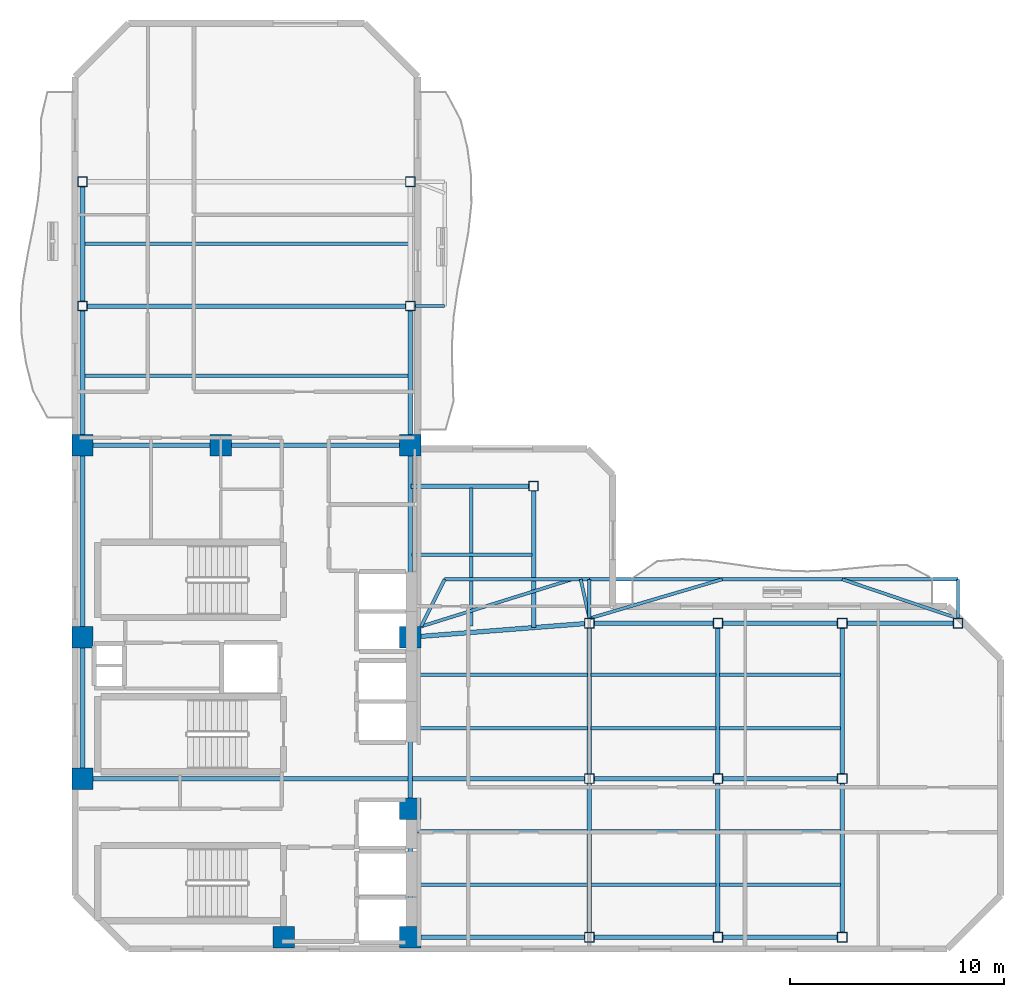
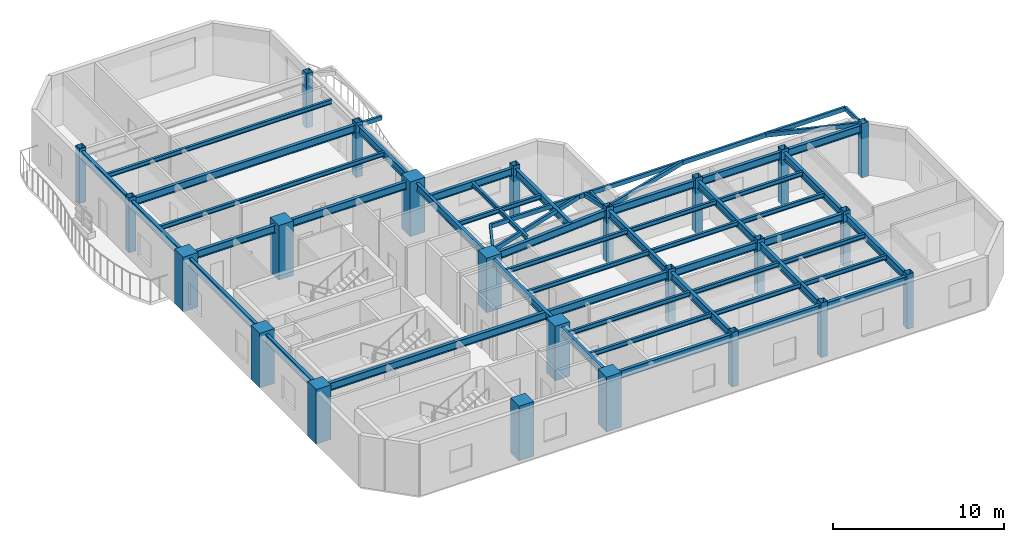
# One storey, part 1 of 9: 55 beams, 24 columns.
"""IFC4 building model written with IfcOpenShell, lengths in metres."""

from ifc_helpers import new_model, si_unit, direction, frame, origin, origin_2d, place, context, subcontext, project, spatial, rectangle, hollow_rectangle, i_section, extrude, material, material_profile, profile_set, type_object, element, save


model = new_model("IFC4")

# Units and contexts
model_context = context("Model", 3, precision=1e-05, world=origin(), true_north=direction((0.0, 1.0)))
body_context = subcontext(model_context, "Body", "Model", "MODEL_VIEW")
ifc_project = project(units=[si_unit("LENGTHUNIT", "METRE"), si_unit("AREAUNIT", "SQUARE_METRE"), si_unit("VOLUMEUNIT", "CUBIC_METRE"), si_unit("PLANEANGLEUNIT", "RADIAN"), si_unit("MASSUNIT", "GRAM", prefix="KILO")], contexts=[model_context])

# Site, building, storey
site_placement = place(None, origin())
site = spatial("IfcSite", under=ifc_project, at=site_placement, CompositionType="ELEMENT")
building_placement = place(site_placement, origin())
building = spatial("IfcBuilding", under=site, at=building_placement, Name="Mawjaban Terraces University", CompositionType="ELEMENT")
storey_placement = place(building_placement, frame((0.0, 0.0, 203.10009765625)))
storey = spatial("IfcBuildingStorey", under=building, at=storey_placement, Name="L49", CompositionType="ELEMENT", Elevation=203.10009765625)

# Columns
ifc_material_1 = material(Name="Concrete C60/75", Category="concrete")
ifc_material_profile_1 = material_profile(ifc_material_1, rectangle(XDim=1.0, YDim=1.0, at=origin_2d()), Name="RC1000X1000")
ifc_profile_set_1 = profile_set([ifc_material_profile_1], Name="Concrete C60/75")
column_type_1 = type_object("IfcColumnType", Name="Col_RC1000X1000", PredefinedType="COLUMN", material=ifc_profile_set_1)
for number, where, z_axis, x_axis, name in (
    (1, (31.75, 0.550048828125, 0.0), (0.0, 0.0, 1.0), (1.0, 0.0, 0.0), "L49 Column CC2"),
    (2, (37.64990234375, 0.550048828125, 0.0), (0.0, 0.0, 1.0), (1.0, 0.0, 0.0), "L49 Column CC3"),
    (3, (22.35009765625, 7.949951171875, 0.0), (0.0, 0.0, 1.0), (1.0, 0.0, 0.0), "L49 Column CC4"),
    (4, (37.64990234375, 6.550048828125, 0.0), (0.0, 0.0, 1.0), (1.0, 0.0, 0.0), "L49 Column CC5"),
    (5, (22.35009765625, 14.550048828125, 0.0), (0.0, 0.0, 1.0), (1.0, 0.0, 0.0), "L49 Column CC6"),
    (6, (37.64990234375, 14.550048828125, 0.0), (0.0, 0.0, 1.0), (1.0, 0.0, 0.0), "L49 Column CC7"),
    (7, (22.35009765625, 23.5, 0.0), (0.0, 0.0, 1.0), (1.0, 0.0, 0.0), "L49 Column CC8"),
    (8, (28.800048828125, 23.5, 0.0), (0.0, 0.0, 1.0), (1.0, 0.0, 0.0), "L49 Column CC9"),
    (9, (37.64990234375, 23.5, 0.0), (0.0, 0.0, 1.0), (1.0, 0.0, 0.0), "L49 Column CC10"),
):
    element("IfcColumn", number, at=place(storey_placement, frame(where, z_axis=z_axis, x_axis=x_axis)), inside=storey, type_object=column_type_1, Name=name, PredefinedType="COLUMN", context=body_context, shape_type="SweptSolid", body=[
        extrude(rectangle(XDim=1.0, YDim=1.0, at=origin_2d()), origin(), (0.0, 0.0, 1.0), 3.89990234375),
    ])
ifc_material_2 = material(Name="Steel EN 10210-1 S355J2H", Category="steel")
ifc_material_profile_2 = material_profile(ifc_material_2, hollow_rectangle(XDim=0.449951171875, YDim=0.449951171875, WallThickness=0.02001953125, at=origin_2d()), Name="SHS450X450X20")
ifc_profile_set_2 = profile_set([ifc_material_profile_2], Name="Steel EN 10210-1 S355J2H")
column_type_2 = type_object("IfcColumnType", Name="Col_SHS450X450X20", PredefinedType="COLUMN", material=ifc_profile_set_2)
for number, where, z_axis, x_axis, name in (
    (10, (46.0, 0.550048828125, 0.0), (0.0, 0.0, 1.0), (1.0, 0.0, 0.0), "L49 Column TE-460-005"),
    (11, (46.0, 7.949951171875, 0.0), (0.0, 0.0, 1.0), (1.0, 0.0, 0.0), "L49 Column TE-460-080"),
    (12, (46.0, 15.199951171875, 0.0), (0.0, 0.0, 1.0), (1.0, 0.0, 0.0), "L49 Column TE-460-152"),
    (13, (52.0, 0.550048828125, 0.0), (0.0, 0.0, 1.0), (1.0, 0.0, 0.0), "L49 Column TE-520-005"),
    (14, (52.0, 7.949951171875, 0.0), (0.0, 0.0, 1.0), (1.0, 0.0, 0.0), "L49 Column TE-520-080"),
    (15, (52.0, 15.199951171875, 0.0), (0.0, 0.0, 1.0), (1.0, 0.0, 0.0), "L49 Column TE-520-152"),
    (16, (57.800048828125, 0.550048828125, 0.0), (0.0, 0.0, 1.0), (1.0, 0.0, 0.0), "L49 Column TE-578-005"),
    (17, (57.800048828125, 7.949951171875, 0.0), (0.0, 0.0, 1.0), (1.0, 0.0, 0.0), "L49 Column TE-578-080"),
    (18, (57.800048828125, 15.199951171875, 0.0), (0.0, 0.0, 1.0), (1.0, 0.0, 0.0), "L49 Column TE-578-152"),
    (19, (63.199951171875, 15.199951171875, 0.0), (0.0, 0.0, 1.0), (1.0, 0.0, 0.0), "L49 Column TE-632-152"),
    (20, (22.35009765625, 30.0, 0.0), (0.0, 0.0, 1.0), (1.0, 0.0, 0.0), "L49 Column TN-223-300"),
    (21, (37.64990234375, 30.0, 0.0), (0.0, 0.0, 1.0), (1.0, 0.0, 0.0), "L49 Column TN-376-300"),
    (22, (22.35009765625, 35.800048828125, 0.0), (0.0, 0.0, 1.0), (1.0, 0.0, 0.0), "L49 Column TN-223-358"),
    (23, (37.64990234375, 35.800048828125, 0.0), (0.0, 0.0, 1.0), (1.0, 0.0, 0.0), "L49 Column TN-376-358"),
    (24, (43.39990234375, 21.60009765625, 0.0), (0.0, 0.0, 1.0), (1.0, 0.0, 0.0), "L49 Column TS-434-216"),
):
    element("IfcColumn", number, at=place(storey_placement, frame(where, z_axis=z_axis, x_axis=x_axis)), inside=storey, type_object=column_type_2, Name=name, PredefinedType="COLUMN", context=body_context, shape_type="SweptSolid", body=[
        extrude(hollow_rectangle(XDim=0.449951171875, YDim=0.449951171875, WallThickness=0.02001953125, at=origin_2d()), origin(), (0.0, 0.0, 1.0), 3.89990234375),
    ])

# Beams
ifc_material_profile_3 = material_profile(ifc_material_2, hollow_rectangle(XDim=0.14990234375, YDim=0.300048828125, WallThickness=0.012451171875, at=origin_2d()), Name="RHS300X150X12.5")
ifc_profile_set_3 = profile_set([ifc_material_profile_3], Name="Steel EN 10210-1 S355J2H")
beam_type_1 = type_object("IfcBeamType", Name="BalconyCantileverSpandrel_RHS", PredefinedType="SPANDREL", material=ifc_profile_set_3)
for number, where, z_axis, x_axis, name in (
    (25, (46.0, 15.425048828125, 3.539794921875), (0.0, 1.0, 0.0), (-1.0, 0.0, 0.0), "L49 Exterior Outrigger BAL-L50-N.1"),
    (26, (63.199951171875, 15.425048828125, 3.539794921875), (0.0, 1.0, 0.0), (-1.0, 0.0, 0.0), "L49 Exterior Outrigger BAL-L50-N.2"),
):
    element("IfcBeam", number, at=place(storey_placement, frame(where, z_axis=z_axis, x_axis=x_axis)), inside=storey, type_object=beam_type_1, Name=name, PredefinedType="SPANDREL", context=body_context, shape_type="SweptSolid", body=[
        extrude(hollow_rectangle(XDim=0.14990234375, YDim=0.300048828125, WallThickness=0.012451171875, at=origin_2d()), origin(), (0.0, 0.0, 1.0), 1.824951171875),
    ])
beam_1_placement = place(storey_placement, frame((46.0, 17.25, 3.539794921875), z_axis=(1.0, 0.0, 0.0), x_axis=(0.0, 1.0, 0.0)))
element("IfcBeam", 27, at=beam_1_placement, inside=storey, type_object=beam_type_1, Name="L49 Exterior Edge Spandrel BAL-L50-N", PredefinedType="SPANDREL", context=body_context, shape_type="SweptSolid", body=[
    extrude(hollow_rectangle(XDim=0.14990234375, YDim=0.300048828125, WallThickness=0.012451171875, at=origin_2d()), origin(), (0.0, 0.0, 1.0), 17.199951171875),
])
beam_2_placement = place(storey_placement, frame((46.0, 15.425048828125, 3.539794921875), z_axis=(0.959305327921, 0.282370833873, 0.0), x_axis=(-0.282370833873, 0.959305327921, 0.0)))
element("IfcBeam", 28, at=beam_2_placement, inside=storey, type_object=beam_type_1, Name="L49 Exterior Diagonal Strut BAL-L50-N.1", PredefinedType="SPANDREL", context=body_context, shape_type="SweptSolid", body=[
    extrude(hollow_rectangle(XDim=0.14990234375, YDim=0.300048828125, WallThickness=0.012451171875, at=origin_2d()), origin(), (0.0, 0.0, 1.0), 6.462890625),
])
beam_3_placement = place(storey_placement, frame((63.199951171875, 15.425048828125, 3.539794921875), z_axis=(-0.947360151124, 0.320169867513, 0.0), x_axis=(-0.320169867513, -0.947360151124, 0.0)))
element("IfcBeam", 29, at=beam_3_placement, inside=storey, type_object=beam_type_1, Name="L49 Exterior Diagonal Strut BAL-L50-N.2", PredefinedType="SPANDREL", context=body_context, shape_type="SweptSolid", body=[
    extrude(hollow_rectangle(XDim=0.14990234375, YDim=0.300048828125, WallThickness=0.012451171875, at=origin_2d()), origin(), (0.0, 0.0, 1.0), 5.699951171875),
])
beam_4_placement = place(storey_placement, frame((37.875, 30.0, 3.539794921875), z_axis=(1.0, 0.0, 0.0), x_axis=(0.0, 1.0, 0.0)))
element("IfcBeam", 30, at=beam_4_placement, inside=storey, type_object=beam_type_1, Name="L49 Exterior Outrigger BAL-L50-E.1", PredefinedType="SPANDREL", context=body_context, shape_type="SweptSolid", body=[
    extrude(hollow_rectangle(XDim=0.14990234375, YDim=0.300048828125, WallThickness=0.012451171875, at=origin_2d()), origin(), (0.0, 0.0, 1.0), 1.375),
])
beam_5_placement = place(storey_placement, frame((38.14990234375, 15.050048828125, 3.539794921875), z_axis=(0.447253297971, 0.894407338663, 0.0), x_axis=(-0.894407338663, 0.447253297971, 0.0)))
element("IfcBeam", 31, at=beam_5_placement, inside=storey, type_object=beam_type_1, Name="L49 Corner Outrigger TER-L50-CLIMB", PredefinedType="SPANDREL", context=body_context, shape_type="SweptSolid", body=[
    extrude(hollow_rectangle(XDim=0.14990234375, YDim=0.300048828125, WallThickness=0.012451171875, at=origin_2d()), origin(), (0.0, 0.0, 1.0), 2.459716796875),
])
beam_6_placement = place(storey_placement, frame((39.25, 17.25, 3.539794921875), z_axis=(1.0, 0.0, 0.0), x_axis=(0.0, 1.0, 0.0)))
element("IfcBeam", 32, at=beam_6_placement, inside=storey, type_object=beam_type_1, Name="L49 Exterior Edge Spandrel TER-L50-CLIMB", PredefinedType="SPANDREL", context=body_context, shape_type="SweptSolid", body=[
    extrude(hollow_rectangle(XDim=0.14990234375, YDim=0.300048828125, WallThickness=0.012451171875, at=origin_2d()), origin(), (0.0, 0.0, 1.0), 6.75),
])
beam_7_placement = place(storey_placement, frame((38.14990234375, 15.050048828125, 3.539794921875), z_axis=(0.9546028334, 0.297881571208, 0.0), x_axis=(-0.297881571208, 0.9546028334, 0.0)))
element("IfcBeam", 33, at=beam_7_placement, inside=storey, type_object=beam_type_1, Name="L49 Exterior Diagonal Strut TER-L50-CLIMB.1", PredefinedType="SPANDREL", context=body_context, shape_type="SweptSolid", body=[
    extrude(hollow_rectangle(XDim=0.14990234375, YDim=0.300048828125, WallThickness=0.012451171875, at=origin_2d()), origin(), (0.0, 0.0, 1.0), 7.38525390625),
])
beam_8_placement = place(storey_placement, frame((46.0, 15.425048828125, 3.539794921875), z_axis=(-0.214051511527, 0.976822374034, 0.0), x_axis=(-0.976822374034, -0.214051511527, 0.0)))
element("IfcBeam", 34, at=beam_8_placement, inside=storey, type_object=beam_type_1, Name="L49 Exterior Diagonal Strut TER-L50-CLIMB.2", PredefinedType="SPANDREL", context=body_context, shape_type="SweptSolid", body=[
    extrude(hollow_rectangle(XDim=0.14990234375, YDim=0.300048828125, WallThickness=0.012451171875, at=origin_2d()), origin(), (0.0, 0.0, 1.0), 1.8681640625),
])
ifc_material_3 = material(Name="Steel ASTM A572 Grade 50", Category="steel")
ifc_material_profile_4 = material_profile(ifc_material_3, i_section(OverallWidth=0.2119140625, OverallDepth=0.5439453125, WebThickness=0.01318359375, FlangeThickness=0.021240234375, at=origin_2d()), Name="W530X123")
ifc_profile_set_4 = profile_set([ifc_material_profile_4], Name="Steel ASTM A572 Grade 50")
beam_type_2 = type_object("IfcBeamType", Name="Beam_B_W530X123", PredefinedType="BEAM", material=ifc_profile_set_4)
beam_9_placement = place(storey_placement, frame((38.14990234375, 0.550048828125, 3.41796875), z_axis=(1.0, 0.0, 0.0), x_axis=(0.0, 1.0, 0.0)))
element("IfcBeam", 35, at=beam_9_placement, inside=storey, type_object=beam_type_2, Name="L49 Beam BM-L49-EW-01", PredefinedType="BEAM", context=body_context, shape_type="SweptSolid", body=[
    extrude(i_section(OverallWidth=0.2119140625, OverallDepth=0.5439453125, WebThickness=0.01318359375, FlangeThickness=0.021240234375, at=origin_2d()), origin(), (0.0, 0.0, 1.0), 7.625),
])
beam_10_placement = place(storey_placement, frame((46.22509765625, 0.550048828125, 3.41796875), z_axis=(1.0, 0.0, 0.0), x_axis=(0.0, 1.0, 0.0)))
element("IfcBeam", 36, at=beam_10_placement, inside=storey, type_object=beam_type_2, Name="L49 Beam BM-L49-EW-02", PredefinedType="BEAM", context=body_context, shape_type="SweptSolid", body=[
    extrude(i_section(OverallWidth=0.2119140625, OverallDepth=0.5439453125, WebThickness=0.01318359375, FlangeThickness=0.021240234375, at=origin_2d()), origin(), (0.0, 0.0, 1.0), 5.5498046875),
])
beam_11_placement = place(storey_placement, frame((52.22509765625, 0.550048828125, 3.41796875), z_axis=(1.0, 0.0, 0.0), x_axis=(0.0, 1.0, 0.0)))
element("IfcBeam", 37, at=beam_11_placement, inside=storey, type_object=beam_type_2, Name="L49 Beam BM-L49-EW-03", PredefinedType="BEAM", context=body_context, shape_type="SweptSolid", body=[
    extrude(i_section(OverallWidth=0.2119140625, OverallDepth=0.5439453125, WebThickness=0.01318359375, FlangeThickness=0.021240234375, at=origin_2d()), origin(), (0.0, 0.0, 1.0), 5.349853515625),
])
beam_12_placement = place(storey_placement, frame((22.85009765625, 7.949951171875, 3.41796875), z_axis=(1.0, 0.0, 0.0), x_axis=(0.0, 1.0, 0.0)))
element("IfcBeam", 38, at=beam_12_placement, inside=storey, type_object=beam_type_2, Name="L49 Beam BM-L49-EW-04", PredefinedType="BEAM", context=body_context, shape_type="SweptSolid", body=[
    extrude(i_section(OverallWidth=0.2119140625, OverallDepth=0.5439453125, WebThickness=0.01318359375, FlangeThickness=0.021240234375, at=origin_2d()), origin(), (0.0, 0.0, 1.0), 22.9248046875),
])
beam_13_placement = place(storey_placement, frame((46.22509765625, 7.949951171875, 3.41796875), z_axis=(1.0, 0.0, 0.0), x_axis=(0.0, 1.0, 0.0)))
element("IfcBeam", 39, at=beam_13_placement, inside=storey, type_object=beam_type_2, Name="L49 Beam BM-L49-EW-05", PredefinedType="BEAM", context=body_context, shape_type="SweptSolid", body=[
    extrude(i_section(OverallWidth=0.2119140625, OverallDepth=0.5439453125, WebThickness=0.01318359375, FlangeThickness=0.021240234375, at=origin_2d()), origin(), (0.0, 0.0, 1.0), 5.5498046875),
])
beam_14_placement = place(storey_placement, frame((52.22509765625, 7.949951171875, 3.41796875), z_axis=(1.0, 0.0, 0.0), x_axis=(0.0, 1.0, 0.0)))
element("IfcBeam", 40, at=beam_14_placement, inside=storey, type_object=beam_type_2, Name="L49 Beam BM-L49-EW-06", PredefinedType="BEAM", context=body_context, shape_type="SweptSolid", body=[
    extrude(i_section(OverallWidth=0.2119140625, OverallDepth=0.5439453125, WebThickness=0.01318359375, FlangeThickness=0.021240234375, at=origin_2d()), origin(), (0.0, 0.0, 1.0), 5.349853515625),
])
beam_15_placement = place(storey_placement, frame((46.22509765625, 15.199951171875, 3.41796875), z_axis=(1.0, 0.0, 0.0), x_axis=(0.0, 1.0, 0.0)))
element("IfcBeam", 41, at=beam_15_placement, inside=storey, type_object=beam_type_2, Name="L49 Beam BM-L49-EW-07", PredefinedType="BEAM", context=body_context, shape_type="SweptSolid", body=[
    extrude(i_section(OverallWidth=0.2119140625, OverallDepth=0.5439453125, WebThickness=0.01318359375, FlangeThickness=0.021240234375, at=origin_2d()), origin(), (0.0, 0.0, 1.0), 5.5498046875),
])
beam_16_placement = place(storey_placement, frame((52.22509765625, 15.199951171875, 3.41796875), z_axis=(1.0, 0.0, 0.0), x_axis=(0.0, 1.0, 0.0)))
element("IfcBeam", 42, at=beam_16_placement, inside=storey, type_object=beam_type_2, Name="L49 Beam BM-L49-EW-08", PredefinedType="BEAM", context=body_context, shape_type="SweptSolid", body=[
    extrude(i_section(OverallWidth=0.2119140625, OverallDepth=0.5439453125, WebThickness=0.01318359375, FlangeThickness=0.021240234375, at=origin_2d()), origin(), (0.0, 0.0, 1.0), 5.349853515625),
])
beam_17_placement = place(storey_placement, frame((58.02490234375, 15.199951171875, 3.41796875), z_axis=(1.0, 0.0, 0.0), x_axis=(0.0, 1.0, 0.0)))
element("IfcBeam", 43, at=beam_17_placement, inside=storey, type_object=beam_type_2, Name="L49 Beam BM-L49-EW-09", PredefinedType="BEAM", context=body_context, shape_type="SweptSolid", body=[
    extrude(i_section(OverallWidth=0.2119140625, OverallDepth=0.5439453125, WebThickness=0.01318359375, FlangeThickness=0.021240234375, at=origin_2d()), origin(), (0.0, 0.0, 1.0), 4.9501953125),
])
beam_18_placement = place(storey_placement, frame((22.85009765625, 23.5, 3.41796875), z_axis=(1.0, 0.0, 0.0), x_axis=(0.0, 1.0, 0.0)))
element("IfcBeam", 44, at=beam_18_placement, inside=storey, type_object=beam_type_2, Name="L49 Beam BM-L49-EW-10", PredefinedType="BEAM", context=body_context, shape_type="SweptSolid", body=[
    extrude(i_section(OverallWidth=0.2119140625, OverallDepth=0.5439453125, WebThickness=0.01318359375, FlangeThickness=0.021240234375, at=origin_2d()), origin(), (0.0, 0.0, 1.0), 5.449951171875),
])
beam_19_placement = place(storey_placement, frame((29.300048828125, 23.5, 3.41796875), z_axis=(1.0, 0.0, 0.0), x_axis=(0.0, 1.0, 0.0)))
element("IfcBeam", 45, at=beam_19_placement, inside=storey, type_object=beam_type_2, Name="L49 Beam BM-L49-EW-11", PredefinedType="BEAM", context=body_context, shape_type="SweptSolid", body=[
    extrude(i_section(OverallWidth=0.2119140625, OverallDepth=0.5439453125, WebThickness=0.01318359375, FlangeThickness=0.021240234375, at=origin_2d()), origin(), (0.0, 0.0, 1.0), 7.849853515625),
])
beam_20_placement = place(storey_placement, frame((22.574951171875, 30.0, 3.41796875), z_axis=(1.0, 0.0, 0.0), x_axis=(0.0, 1.0, 0.0)))
element("IfcBeam", 46, at=beam_20_placement, inside=storey, type_object=beam_type_2, Name="L49 Beam BM-L49-EW-12", PredefinedType="BEAM", context=body_context, shape_type="SweptSolid", body=[
    extrude(i_section(OverallWidth=0.2119140625, OverallDepth=0.5439453125, WebThickness=0.01318359375, FlangeThickness=0.021240234375, at=origin_2d()), origin(), (0.0, 0.0, 1.0), 14.85009765625),
])
beam_21_placement = place(storey_placement, frame((22.35009765625, 8.449951171875, 3.41796875), z_axis=(0.0, 1.0, 0.0), x_axis=(-1.0, 0.0, 0.0)))
element("IfcBeam", 47, at=beam_21_placement, inside=storey, type_object=beam_type_2, Name="L49 Beam BM-L49-NS-01", PredefinedType="BEAM", context=body_context, shape_type="SweptSolid", body=[
    extrude(i_section(OverallWidth=0.2119140625, OverallDepth=0.5439453125, WebThickness=0.01318359375, FlangeThickness=0.021240234375, at=origin_2d()), origin(), (0.0, 0.0, 1.0), 5.60009765625),
])
beam_22_placement = place(storey_placement, frame((22.35009765625, 15.050048828125, 3.41796875), z_axis=(0.0, 1.0, 0.0), x_axis=(-1.0, 0.0, 0.0)))
element("IfcBeam", 48, at=beam_22_placement, inside=storey, type_object=beam_type_2, Name="L49 Beam BM-L49-NS-02", PredefinedType="BEAM", context=body_context, shape_type="SweptSolid", body=[
    extrude(i_section(OverallWidth=0.2119140625, OverallDepth=0.5439453125, WebThickness=0.01318359375, FlangeThickness=0.021240234375, at=origin_2d()), origin(), (0.0, 0.0, 1.0), 7.949951171875),
])
beam_23_placement = place(storey_placement, frame((22.35009765625, 24.0, 3.41796875), z_axis=(0.0, 1.0, 0.0), x_axis=(-1.0, 0.0, 0.0)))
element("IfcBeam", 49, at=beam_23_placement, inside=storey, type_object=beam_type_2, Name="L49 Beam BM-L49-NS-03", PredefinedType="BEAM", context=body_context, shape_type="SweptSolid", body=[
    extrude(i_section(OverallWidth=0.2119140625, OverallDepth=0.5439453125, WebThickness=0.01318359375, FlangeThickness=0.021240234375, at=origin_2d()), origin(), (0.0, 0.0, 1.0), 5.77490234375),
])
beam_24_placement = place(storey_placement, frame((22.35009765625, 30.22509765625, 3.41796875), z_axis=(0.0, 1.0, 0.0), x_axis=(-1.0, 0.0, 0.0)))
element("IfcBeam", 50, at=beam_24_placement, inside=storey, type_object=beam_type_2, Name="L49 Beam BM-L49-NS-04", PredefinedType="BEAM", context=body_context, shape_type="SweptSolid", body=[
    extrude(i_section(OverallWidth=0.2119140625, OverallDepth=0.5439453125, WebThickness=0.01318359375, FlangeThickness=0.021240234375, at=origin_2d()), origin(), (0.0, 0.0, 1.0), 5.349853515625),
])
beam_25_placement = place(storey_placement, frame((37.64990234375, 1.050048828125, 3.41796875), z_axis=(0.0, 1.0, 0.0), x_axis=(-1.0, 0.0, 0.0)))
element("IfcBeam", 51, at=beam_25_placement, inside=storey, type_object=beam_type_2, Name="L49 Beam BM-L49-NS-05", PredefinedType="BEAM", context=body_context, shape_type="SweptSolid", body=[
    extrude(i_section(OverallWidth=0.2119140625, OverallDepth=0.5439453125, WebThickness=0.01318359375, FlangeThickness=0.021240234375, at=origin_2d()), origin(), (0.0, 0.0, 1.0), 5.0),
])
beam_26_placement = place(storey_placement, frame((37.64990234375, 7.050048828125, 3.41796875), z_axis=(0.0, 1.0, 0.0), x_axis=(-1.0, 0.0, 0.0)))
element("IfcBeam", 52, at=beam_26_placement, inside=storey, type_object=beam_type_2, Name="L49 Beam BM-L49-NS-06", PredefinedType="BEAM", context=body_context, shape_type="SweptSolid", body=[
    extrude(i_section(OverallWidth=0.2119140625, OverallDepth=0.5439453125, WebThickness=0.01318359375, FlangeThickness=0.021240234375, at=origin_2d()), origin(), (0.0, 0.0, 1.0), 7.0),
])
beam_27_placement = place(storey_placement, frame((37.64990234375, 15.050048828125, 3.41796875), z_axis=(0.0, 1.0, 0.0), x_axis=(-1.0, 0.0, 0.0)))
element("IfcBeam", 53, at=beam_27_placement, inside=storey, type_object=beam_type_2, Name="L49 Beam BM-L49-NS-07", PredefinedType="BEAM", context=body_context, shape_type="SweptSolid", body=[
    extrude(i_section(OverallWidth=0.2119140625, OverallDepth=0.5439453125, WebThickness=0.01318359375, FlangeThickness=0.021240234375, at=origin_2d()), origin(), (0.0, 0.0, 1.0), 7.949951171875),
])
beam_28_placement = place(storey_placement, frame((37.64990234375, 24.0, 3.41796875), z_axis=(0.0, 1.0, 0.0), x_axis=(-1.0, 0.0, 0.0)))
element("IfcBeam", 54, at=beam_28_placement, inside=storey, type_object=beam_type_2, Name="L49 Beam BM-L49-NS-08", PredefinedType="BEAM", context=body_context, shape_type="SweptSolid", body=[
    extrude(i_section(OverallWidth=0.2119140625, OverallDepth=0.5439453125, WebThickness=0.01318359375, FlangeThickness=0.021240234375, at=origin_2d()), origin(), (0.0, 0.0, 1.0), 5.77490234375),
])
beam_29_placement = place(storey_placement, frame((46.0, 0.77490234375, 3.41796875), z_axis=(0.0, 1.0, 0.0), x_axis=(-1.0, 0.0, 0.0)))
element("IfcBeam", 55, at=beam_29_placement, inside=storey, type_object=beam_type_2, Name="L49 Beam BM-L49-NS-10", PredefinedType="BEAM", context=body_context, shape_type="SweptSolid", body=[
    extrude(i_section(OverallWidth=0.2119140625, OverallDepth=0.5439453125, WebThickness=0.01318359375, FlangeThickness=0.021240234375, at=origin_2d()), origin(), (0.0, 0.0, 1.0), 6.9501953125),
])
beam_30_placement = place(storey_placement, frame((46.0, 8.175048828125, 3.41796875), z_axis=(0.0, 1.0, 0.0), x_axis=(-1.0, 0.0, 0.0)))
element("IfcBeam", 56, at=beam_30_placement, inside=storey, type_object=beam_type_2, Name="L49 Beam BM-L49-NS-11", PredefinedType="BEAM", context=body_context, shape_type="SweptSolid", body=[
    extrude(i_section(OverallWidth=0.2119140625, OverallDepth=0.5439453125, WebThickness=0.01318359375, FlangeThickness=0.021240234375, at=origin_2d()), origin(), (0.0, 0.0, 1.0), 6.800048828125),
])
beam_31_placement = place(storey_placement, frame((52.0, 0.77490234375, 3.41796875), z_axis=(0.0, 1.0, 0.0), x_axis=(-1.0, 0.0, 0.0)))
element("IfcBeam", 57, at=beam_31_placement, inside=storey, type_object=beam_type_2, Name="L49 Beam BM-L49-NS-12", PredefinedType="BEAM", context=body_context, shape_type="SweptSolid", body=[
    extrude(i_section(OverallWidth=0.2119140625, OverallDepth=0.5439453125, WebThickness=0.01318359375, FlangeThickness=0.021240234375, at=origin_2d()), origin(), (0.0, 0.0, 1.0), 6.9501953125),
])
beam_32_placement = place(storey_placement, frame((52.0, 8.175048828125, 3.41796875), z_axis=(0.0, 1.0, 0.0), x_axis=(-1.0, 0.0, 0.0)))
element("IfcBeam", 58, at=beam_32_placement, inside=storey, type_object=beam_type_2, Name="L49 Beam BM-L49-NS-13", PredefinedType="BEAM", context=body_context, shape_type="SweptSolid", body=[
    extrude(i_section(OverallWidth=0.2119140625, OverallDepth=0.5439453125, WebThickness=0.01318359375, FlangeThickness=0.021240234375, at=origin_2d()), origin(), (0.0, 0.0, 1.0), 6.800048828125),
])
beam_33_placement = place(storey_placement, frame((57.800048828125, 0.77490234375, 3.41796875), z_axis=(0.0, 1.0, 0.0), x_axis=(-1.0, 0.0, 0.0)))
element("IfcBeam", 59, at=beam_33_placement, inside=storey, type_object=beam_type_2, Name="L49 Beam BM-L49-NS-14", PredefinedType="BEAM", context=body_context, shape_type="SweptSolid", body=[
    extrude(i_section(OverallWidth=0.2119140625, OverallDepth=0.5439453125, WebThickness=0.01318359375, FlangeThickness=0.021240234375, at=origin_2d()), origin(), (0.0, 0.0, 1.0), 6.9501953125),
])
beam_34_placement = place(storey_placement, frame((57.800048828125, 8.175048828125, 3.41796875), z_axis=(0.0, 1.0, 0.0), x_axis=(-1.0, 0.0, 0.0)))
element("IfcBeam", 60, at=beam_34_placement, inside=storey, type_object=beam_type_2, Name="L49 Beam BM-L49-NS-15", PredefinedType="BEAM", context=body_context, shape_type="SweptSolid", body=[
    extrude(i_section(OverallWidth=0.2119140625, OverallDepth=0.5439453125, WebThickness=0.01318359375, FlangeThickness=0.021240234375, at=origin_2d()), origin(), (0.0, 0.0, 1.0), 6.800048828125),
])
beam_35_placement = place(storey_placement, frame((38.14794921875, 14.589111328125, 3.41796875), z_axis=(0.99698177718, 0.077635919341, 0.0), x_axis=(-0.077635919341, 0.99698177718, 0.0)))
element("IfcBeam", 61, at=beam_35_placement, inside=storey, type_object=beam_type_2, Name="L49 Beam BM-L49-CTIE", PredefinedType="BEAM", context=body_context, shape_type="SweptSolid", body=[
    extrude(i_section(OverallWidth=0.2119140625, OverallDepth=0.5439453125, WebThickness=0.01318359375, FlangeThickness=0.021240234375, at=origin_2d()), origin(), (0.0, 0.0, 1.0), 7.651123046875),
])
beam_36_placement = place(storey_placement, frame((37.679931640625, 21.60009765625, 3.41796875), z_axis=(1.0, 0.0, 0.0), x_axis=(0.0, 1.0, 0.0)))
element("IfcBeam", 62, at=beam_36_placement, inside=storey, type_object=beam_type_2, Name="L49 Spur Tie Girder West", PredefinedType="BEAM", context=body_context, shape_type="SweptSolid", body=[
    extrude(i_section(OverallWidth=0.2119140625, OverallDepth=0.5439453125, WebThickness=0.01318359375, FlangeThickness=0.021240234375, at=origin_2d()), origin(), (0.0, 0.0, 1.0), 5.4951171875),
])
beam_37_placement = place(storey_placement, frame((43.39990234375, 15.0, 3.41796875), z_axis=(0.0, 1.0, 0.0), x_axis=(-1.0, 0.0, 0.0)))
element("IfcBeam", 63, at=beam_37_placement, inside=storey, type_object=beam_type_2, Name="L49 Spur Tie Girder South", PredefinedType="BEAM", context=body_context, shape_type="SweptSolid", body=[
    extrude(i_section(OverallWidth=0.2119140625, OverallDepth=0.5439453125, WebThickness=0.01318359375, FlangeThickness=0.021240234375, at=origin_2d()), origin(), (0.0, 0.0, 1.0), 6.375),
])
ifc_material_profile_5 = material_profile(ifc_material_3, i_section(OverallWidth=0.1669921875, OverallDepth=0.318115234375, WebThickness=0.007568359375, FlangeThickness=0.01318359375, at=origin_2d()), Name="W310X52")
ifc_profile_set_5 = profile_set([ifc_material_profile_5], Name="Steel ASTM A572 Grade 50")
beam_type_3 = type_object("IfcBeamType", Name="Beam_J_W310X52", PredefinedType="JOIST", material=ifc_profile_set_5)
beam_38_placement = place(storey_placement, frame((37.72998046875, 3.0, 3.531005859375), z_axis=(1.0, 0.0, 0.0), x_axis=(0.0, 1.0, 0.0)))
element("IfcBeam", 64, at=beam_38_placement, inside=storey, type_object=beam_type_3, Name="L49 Composite Joist JST-L49-01", PredefinedType="JOIST", context=body_context, shape_type="SweptSolid", body=[
    extrude(i_section(OverallWidth=0.1669921875, OverallDepth=0.318115234375, WebThickness=0.007568359375, FlangeThickness=0.01318359375, at=origin_2d()), origin(), (0.0, 0.0, 1.0), 8.18994140625),
])
beam_39_placement = place(storey_placement, frame((46.080078125, 3.0, 3.531005859375), z_axis=(1.0, 0.0, 0.0), x_axis=(0.0, 1.0, 0.0)))
element("IfcBeam", 65, at=beam_39_placement, inside=storey, type_object=beam_type_3, Name="L49 Composite Joist JST-L49-02", PredefinedType="JOIST", context=body_context, shape_type="SweptSolid", body=[
    extrude(i_section(OverallWidth=0.1669921875, OverallDepth=0.318115234375, WebThickness=0.007568359375, FlangeThickness=0.01318359375, at=origin_2d()), origin(), (0.0, 0.0, 1.0), 5.83984375),
])
beam_40_placement = place(storey_placement, frame((52.080078125, 3.0, 3.531005859375), z_axis=(1.0, 0.0, 0.0), x_axis=(0.0, 1.0, 0.0)))
element("IfcBeam", 66, at=beam_40_placement, inside=storey, type_object=beam_type_3, Name="L49 Composite Joist JST-L49-03", PredefinedType="JOIST", context=body_context, shape_type="SweptSolid", body=[
    extrude(i_section(OverallWidth=0.1669921875, OverallDepth=0.318115234375, WebThickness=0.007568359375, FlangeThickness=0.01318359375, at=origin_2d()), origin(), (0.0, 0.0, 1.0), 5.639892578125),
])
beam_41_placement = place(storey_placement, frame((37.72998046875, 5.5, 3.531005859375), z_axis=(1.0, 0.0, 0.0), x_axis=(0.0, 1.0, 0.0)))
element("IfcBeam", 67, at=beam_41_placement, inside=storey, type_object=beam_type_3, Name="L49 Composite Joist JST-L49-04", PredefinedType="JOIST", context=body_context, shape_type="SweptSolid", body=[
    extrude(i_section(OverallWidth=0.1669921875, OverallDepth=0.318115234375, WebThickness=0.007568359375, FlangeThickness=0.01318359375, at=origin_2d()), origin(), (0.0, 0.0, 1.0), 8.18994140625),
])
beam_42_placement = place(storey_placement, frame((46.080078125, 5.5, 3.531005859375), z_axis=(1.0, 0.0, 0.0), x_axis=(0.0, 1.0, 0.0)))
element("IfcBeam", 68, at=beam_42_placement, inside=storey, type_object=beam_type_3, Name="L49 Composite Joist JST-L49-05", PredefinedType="JOIST", context=body_context, shape_type="SweptSolid", body=[
    extrude(i_section(OverallWidth=0.1669921875, OverallDepth=0.318115234375, WebThickness=0.007568359375, FlangeThickness=0.01318359375, at=origin_2d()), origin(), (0.0, 0.0, 1.0), 5.83984375),
])
beam_43_placement = place(storey_placement, frame((52.080078125, 5.5, 3.531005859375), z_axis=(1.0, 0.0, 0.0), x_axis=(0.0, 1.0, 0.0)))
element("IfcBeam", 69, at=beam_43_placement, inside=storey, type_object=beam_type_3, Name="L49 Composite Joist JST-L49-06", PredefinedType="JOIST", context=body_context, shape_type="SweptSolid", body=[
    extrude(i_section(OverallWidth=0.1669921875, OverallDepth=0.318115234375, WebThickness=0.007568359375, FlangeThickness=0.01318359375, at=origin_2d()), origin(), (0.0, 0.0, 1.0), 5.639892578125),
])
beam_44_placement = place(storey_placement, frame((37.72998046875, 10.300048828125, 3.531005859375), z_axis=(1.0, 0.0, 0.0), x_axis=(0.0, 1.0, 0.0)))
element("IfcBeam", 70, at=beam_44_placement, inside=storey, type_object=beam_type_3, Name="L49 Composite Joist JST-L49-07", PredefinedType="JOIST", context=body_context, shape_type="SweptSolid", body=[
    extrude(i_section(OverallWidth=0.1669921875, OverallDepth=0.318115234375, WebThickness=0.007568359375, FlangeThickness=0.01318359375, at=origin_2d()), origin(), (0.0, 0.0, 1.0), 8.18994140625),
])
beam_45_placement = place(storey_placement, frame((46.080078125, 10.300048828125, 3.531005859375), z_axis=(1.0, 0.0, 0.0), x_axis=(0.0, 1.0, 0.0)))
element("IfcBeam", 71, at=beam_45_placement, inside=storey, type_object=beam_type_3, Name="L49 Composite Joist JST-L49-08", PredefinedType="JOIST", context=body_context, shape_type="SweptSolid", body=[
    extrude(i_section(OverallWidth=0.1669921875, OverallDepth=0.318115234375, WebThickness=0.007568359375, FlangeThickness=0.01318359375, at=origin_2d()), origin(), (0.0, 0.0, 1.0), 5.83984375),
])
beam_46_placement = place(storey_placement, frame((52.080078125, 10.300048828125, 3.531005859375), z_axis=(1.0, 0.0, 0.0), x_axis=(0.0, 1.0, 0.0)))
element("IfcBeam", 72, at=beam_46_placement, inside=storey, type_object=beam_type_3, Name="L49 Composite Joist JST-L49-09", PredefinedType="JOIST", context=body_context, shape_type="SweptSolid", body=[
    extrude(i_section(OverallWidth=0.1669921875, OverallDepth=0.318115234375, WebThickness=0.007568359375, FlangeThickness=0.01318359375, at=origin_2d()), origin(), (0.0, 0.0, 1.0), 5.639892578125),
])
beam_47_placement = place(storey_placement, frame((37.72998046875, 12.800048828125, 3.531005859375), z_axis=(1.0, 0.0, 0.0), x_axis=(0.0, 1.0, 0.0)))
element("IfcBeam", 73, at=beam_47_placement, inside=storey, type_object=beam_type_3, Name="L49 Composite Joist JST-L49-10", PredefinedType="JOIST", context=body_context, shape_type="SweptSolid", body=[
    extrude(i_section(OverallWidth=0.1669921875, OverallDepth=0.318115234375, WebThickness=0.007568359375, FlangeThickness=0.01318359375, at=origin_2d()), origin(), (0.0, 0.0, 1.0), 8.18994140625),
])
beam_48_placement = place(storey_placement, frame((46.080078125, 12.800048828125, 3.531005859375), z_axis=(1.0, 0.0, 0.0), x_axis=(0.0, 1.0, 0.0)))
element("IfcBeam", 74, at=beam_48_placement, inside=storey, type_object=beam_type_3, Name="L49 Composite Joist JST-L49-11", PredefinedType="JOIST", context=body_context, shape_type="SweptSolid", body=[
    extrude(i_section(OverallWidth=0.1669921875, OverallDepth=0.318115234375, WebThickness=0.007568359375, FlangeThickness=0.01318359375, at=origin_2d()), origin(), (0.0, 0.0, 1.0), 5.83984375),
])
beam_49_placement = place(storey_placement, frame((52.080078125, 12.800048828125, 3.531005859375), z_axis=(1.0, 0.0, 0.0), x_axis=(0.0, 1.0, 0.0)))
element("IfcBeam", 75, at=beam_49_placement, inside=storey, type_object=beam_type_3, Name="L49 Composite Joist JST-L49-12", PredefinedType="JOIST", context=body_context, shape_type="SweptSolid", body=[
    extrude(i_section(OverallWidth=0.1669921875, OverallDepth=0.318115234375, WebThickness=0.007568359375, FlangeThickness=0.01318359375, at=origin_2d()), origin(), (0.0, 0.0, 1.0), 5.639892578125),
])
beam_50_placement = place(storey_placement, frame((37.72998046875, 18.39990234375, 3.531005859375), z_axis=(1.0, 0.0, 0.0), x_axis=(0.0, 1.0, 0.0)))
element("IfcBeam", 76, at=beam_50_placement, inside=storey, type_object=beam_type_3, Name="L49 Composite Joist JST-L49-13", PredefinedType="JOIST", context=body_context, shape_type="SweptSolid", body=[
    extrude(i_section(OverallWidth=0.1669921875, OverallDepth=0.318115234375, WebThickness=0.007568359375, FlangeThickness=0.01318359375, at=origin_2d()), origin(), (0.0, 0.0, 1.0), 5.590087890625),
])
for number, where, z_axis, x_axis, name in (
    (77, (22.429931640625, 26.75, 3.531005859375), (1.0, 0.0, 0.0), (0.0, 1.0, 0.0), "L49 Composite Joist JST-L49-14"),
    (78, (22.429931640625, 32.89990234375, 3.531005859375), (1.0, 0.0, 0.0), (0.0, 1.0, 0.0), "L49 Composite Joist JST-L49-15"),
):
    element("IfcBeam", number, at=place(storey_placement, frame(where, z_axis=z_axis, x_axis=x_axis)), inside=storey, type_object=beam_type_3, Name=name, PredefinedType="JOIST", context=body_context, shape_type="SweptSolid", body=[
        extrude(i_section(OverallWidth=0.1669921875, OverallDepth=0.318115234375, WebThickness=0.007568359375, FlangeThickness=0.01318359375, at=origin_2d()), origin(), (0.0, 0.0, 1.0), 15.14013671875),
    ])
beam_51_placement = place(storey_placement, frame((40.5, 15.080078125, 3.531005859375), z_axis=(0.0, 1.0, 0.0), x_axis=(-1.0, 0.0, 0.0)))
element("IfcBeam", 79, at=beam_51_placement, inside=storey, type_object=beam_type_3, Name="L49 Composite Joist JST-L49-NS-16", PredefinedType="JOIST", context=body_context, shape_type="SweptSolid", body=[
    extrude(i_section(OverallWidth=0.1669921875, OverallDepth=0.318115234375, WebThickness=0.007568359375, FlangeThickness=0.01318359375, at=origin_2d()), origin(), (0.0, 0.0, 1.0), 6.43994140625),
])

save(model, "model.ifc")
